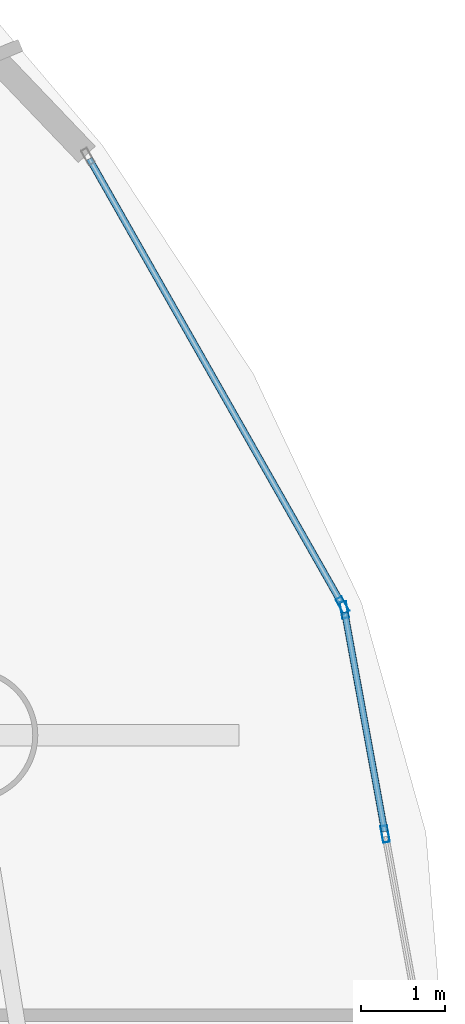
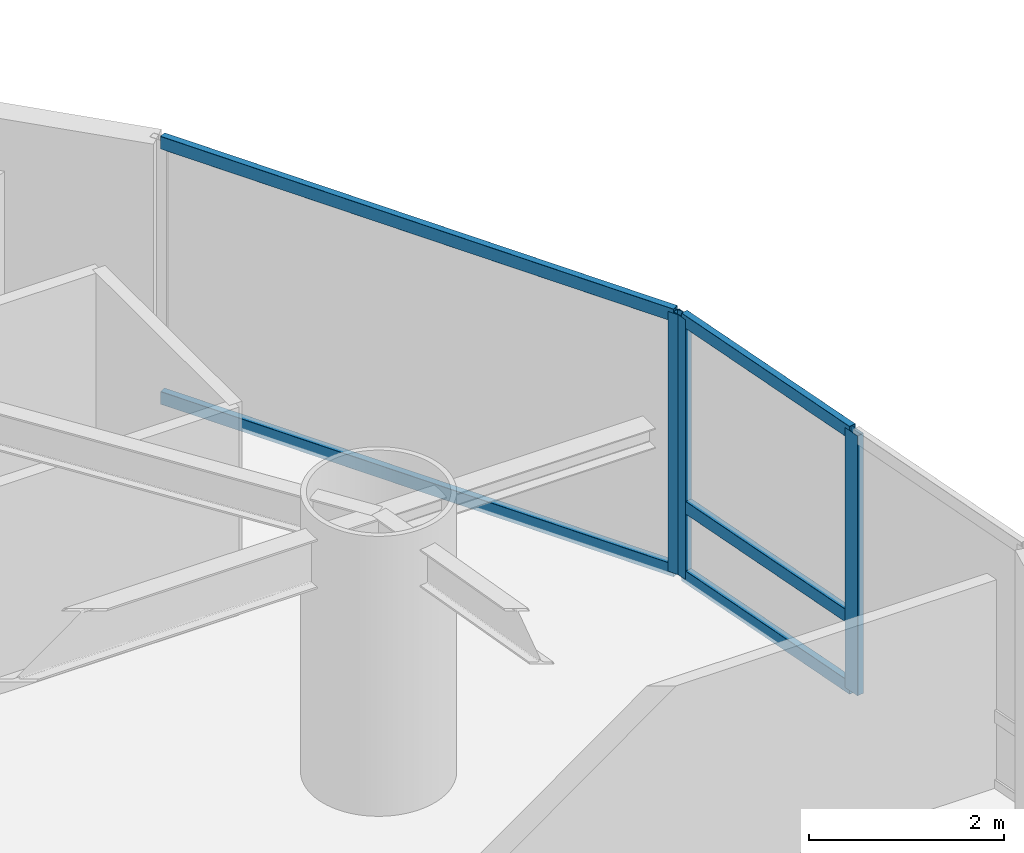
# One storey, part 13 of 27: 8 members, 2 elements without a shape of their own.
"""IFC4 building model written with IfcOpenShell, lengths in metres."""

from ifc_helpers import new_model, si_unit, direction, frame, origin, origin_2d, place, context, subcontext, project, spatial, hollow_rectangle, extrude, material, layer, layer_set, material_profile, profile_set, type_object, element, aggregate, save


model = new_model("IFC4")

# Units and contexts
model_context = context("Model", 3, precision=1e-05, world=origin(), true_north=direction((0.0, 1.0)))
body_context = subcontext(model_context, "Body", "Model", "MODEL_VIEW")
ifc_project = project(units=[si_unit("LENGTHUNIT", "METRE"), si_unit("AREAUNIT", "SQUARE_METRE"), si_unit("VOLUMEUNIT", "CUBIC_METRE"), si_unit("PLANEANGLEUNIT", "RADIAN"), si_unit("MASSUNIT", "GRAM", prefix="KILO")], contexts=[model_context])

# Site, building, storey
site_placement = place(None, origin())
site = spatial("IfcSite", under=ifc_project, at=site_placement, CompositionType="ELEMENT")
building_placement = place(site_placement, origin())
building = spatial("IfcBuilding", under=site, at=building_placement, Name="Bramvorn Convention Spire", CompositionType="ELEMENT")
storey_placement = place(building_placement, frame((0.0, 0.0, 41.39990234375)))
storey = spatial("IfcBuildingStorey", under=building, at=storey_placement, Name="L07", CompositionType="ELEMENT", Elevation=41.39990234375)

# Curtain wall, members
ifc_material_1 = material(Name="Anodised Bronze Unitised Curtain Wall", Category="aluminium")
ifc_layer = layer(ifc_material_1, 0.179931640625)
ifc_layer_set = layer_set([ifc_layer], Name="Anodised Bronze Unitised Curtain Wall - CW-HTL-FRIT")
curtain_wall_type = type_object("IfcCurtainWallType", Name="CW-HTL-FRIT", PredefinedType="USERDEFINED", material=ifc_layer_set)
curtain_wall_1_placement = place(storey_placement, origin())
curtain_wall_1 = element("IfcCurtainWall", 1, at=curtain_wall_1_placement, inside=storey, type_object=curtain_wall_type, Name="L07 fritted glass curtain wall 01", ObjectType="UNITISED CURTAIN WALL", PredefinedType="USERDEFINED")
ifc_material_2 = material(Name="Anodised Bronze Aluminium 6063-T6", Category="aluminium")
ifc_material_profile_1 = material_profile(ifc_material_2, hollow_rectangle(XDim=0.080078125, YDim=0.199951171875, WallThickness=0.00390625, InnerFilletRadius=0.0009765625, OuterFilletRadius=0.00390625, at=origin_2d()))
ifc_profile_set_1 = profile_set([ifc_material_profile_1], Name="Anodised Bronze Aluminium 6063-T6 - CWM80X200")
member_type_1 = type_object("IfcMemberType", Name="CW-MUL-180", PredefinedType="MULLION", material=ifc_profile_set_1)
member_1_placement = place(storey_placement, frame((69.79443359375, 30.835205078125, 0.0), z_axis=(0.0, 0.0, 1.0), x_axis=(0.983767592965, 0.179447270894, 0.0)))
member_1 = element("IfcMember", 2, at=member_1_placement, type_object=member_type_1, Name="CW2 mullion 1", PredefinedType="MULLION", context=body_context, shape_type="SweptSolid", body=[
    extrude(hollow_rectangle(XDim=0.080078125, YDim=0.199951171875, WallThickness=0.00390625, InnerFilletRadius=0.0009765625, OuterFilletRadius=0.00390625, at=origin_2d()), origin(), (0.0, 0.0, 1.0), 3.25),
])
member_2_placement = place(storey_placement, frame((70.2822265625, 28.16064453125, 0.0), z_axis=(0.0, 0.0, 1.0), x_axis=(0.983767592965, 0.179447270894, 0.0)))
member_2 = element("IfcMember", 3, at=member_2_placement, type_object=member_type_1, Name="CW2 mullion 2", PredefinedType="MULLION", context=body_context, shape_type="SweptSolid", body=[
    extrude(hollow_rectangle(XDim=0.080078125, YDim=0.199951171875, WallThickness=0.00390625, InnerFilletRadius=0.0009765625, OuterFilletRadius=0.00390625, at=origin_2d()), origin(), (0.0, 0.0, 1.0), 3.25),
])

# Curtain wall, member
curtain_wall_2_placement = place(storey_placement, origin())
curtain_wall_2 = element("IfcCurtainWall", 4, at=curtain_wall_2_placement, inside=storey, type_object=curtain_wall_type, Name="L07 fritted glass curtain wall 02", ObjectType="UNITISED CURTAIN WALL", PredefinedType="USERDEFINED")
member_3_placement = place(storey_placement, frame((69.774169921875, 30.890869140625, 0.0), z_axis=(0.0, 0.0, 1.0), x_axis=(0.869741940254, 0.49350679566, 0.0)))
member_3 = element("IfcMember", 5, at=member_3_placement, type_object=member_type_1, Name="CW2 mullion 2", PredefinedType="MULLION", context=body_context, shape_type="SweptSolid", body=[
    extrude(hollow_rectangle(XDim=0.080078125, YDim=0.199951171875, WallThickness=0.00390625, InnerFilletRadius=0.0009765625, OuterFilletRadius=0.00390625, at=origin_2d()), origin(), (0.0, 0.0, 1.0), 3.25),
])

# Member
ifc_material_profile_2 = material_profile(ifc_material_2, hollow_rectangle(XDim=0.080078125, YDim=0.159912109375, WallThickness=0.00390625, InnerFilletRadius=0.0009765625, OuterFilletRadius=0.00390625, at=origin_2d()))
ifc_profile_set_2 = profile_set([ifc_material_profile_2], Name="Anodised Bronze Aluminium 6063-T6 - CWT80X160")
member_type_2 = type_object("IfcMemberType", Name="CW-TRN-150", PredefinedType="USERDEFINED", material=ifc_profile_set_2)
member_4_placement = place(storey_placement, frame((69.7998046875, 30.8056640625, 0.030029296875), z_axis=(0.179434918258, -0.983769846107, 0.0), x_axis=(0.983769846107, 0.179434918258, 0.0)))
member_4 = element("IfcMember", 6, at=member_4_placement, type_object=member_type_2, Name="CW2 transom 1.1", ObjectType="TRANSOM", PredefinedType="USERDEFINED", context=body_context, shape_type="SweptSolid", body=[
    extrude(hollow_rectangle(XDim=0.080078125, YDim=0.159912109375, WallThickness=0.00390625, InnerFilletRadius=0.0009765625, OuterFilletRadius=0.00390625, at=origin_2d()), origin(), (0.0, 0.0, 1.0), 2.65869140625),
])

member_5_placement = place(storey_placement, frame((69.7998046875, 30.8056640625, 0.900146484375), z_axis=(0.179434918258, -0.983769846107, 0.0), x_axis=(0.983769846107, 0.179434918258, 0.0)))
member_5 = element("IfcMember", 7, at=member_5_placement, type_object=member_type_2, Name="CW2 transom 1.2", ObjectType="TRANSOM", PredefinedType="USERDEFINED", context=body_context, shape_type="SweptSolid", body=[
    extrude(hollow_rectangle(XDim=0.080078125, YDim=0.159912109375, WallThickness=0.00390625, InnerFilletRadius=0.0009765625, OuterFilletRadius=0.00390625, at=origin_2d()), origin(), (0.0, 0.0, 1.0), 2.65869140625),
])

member_6_placement = place(storey_placement, frame((69.7998046875, 30.8056640625, 3.22021484375), z_axis=(0.179434918258, -0.983769846107, 0.0), x_axis=(0.983769846107, 0.179434918258, 0.0)))
member_6 = element("IfcMember", 8, at=member_6_placement, type_object=member_type_2, Name="CW2 transom 1.3", ObjectType="TRANSOM", PredefinedType="USERDEFINED", context=body_context, shape_type="SweptSolid", body=[
    extrude(hollow_rectangle(XDim=0.080078125, YDim=0.159912109375, WallThickness=0.00390625, InnerFilletRadius=0.0009765625, OuterFilletRadius=0.00390625, at=origin_2d()), origin(), (0.0, 0.0, 1.0), 2.65869140625),
])

aggregate(curtain_wall_1, [member_1, member_2, member_4, member_5, member_6])

member_7_placement = place(storey_placement, frame((66.7529296875, 36.21533203125, 0.030029296875), z_axis=(0.49350392952, -0.869743566546, 0.0), x_axis=(0.869743566546, 0.49350392952, 0.0)))
member_7 = element("IfcMember", 9, at=member_7_placement, type_object=member_type_2, Name="CW2 transom 1.1", ObjectType="TRANSOM", PredefinedType="USERDEFINED", context=body_context, shape_type="SweptSolid", body=[
    extrude(hollow_rectangle(XDim=0.080078125, YDim=0.159912109375, WallThickness=0.00390625, InnerFilletRadius=0.0009765625, OuterFilletRadius=0.00390625, at=origin_2d()), origin(), (0.0, 0.0, 1.0), 6.091796875),
])

member_8_placement = place(storey_placement, frame((66.7529296875, 36.21533203125, 3.22021484375), z_axis=(0.49350392952, -0.869743566546, 0.0), x_axis=(0.869743566546, 0.49350392952, 0.0)))
member_8 = element("IfcMember", 10, at=member_8_placement, type_object=member_type_2, Name="CW2 transom 1.2", ObjectType="TRANSOM", PredefinedType="USERDEFINED", context=body_context, shape_type="SweptSolid", body=[
    extrude(hollow_rectangle(XDim=0.080078125, YDim=0.159912109375, WallThickness=0.00390625, InnerFilletRadius=0.0009765625, OuterFilletRadius=0.00390625, at=origin_2d()), origin(), (0.0, 0.0, 1.0), 6.091796875),
])

aggregate(curtain_wall_2, [member_3, member_7, member_8])

save(model, "model.ifc")
